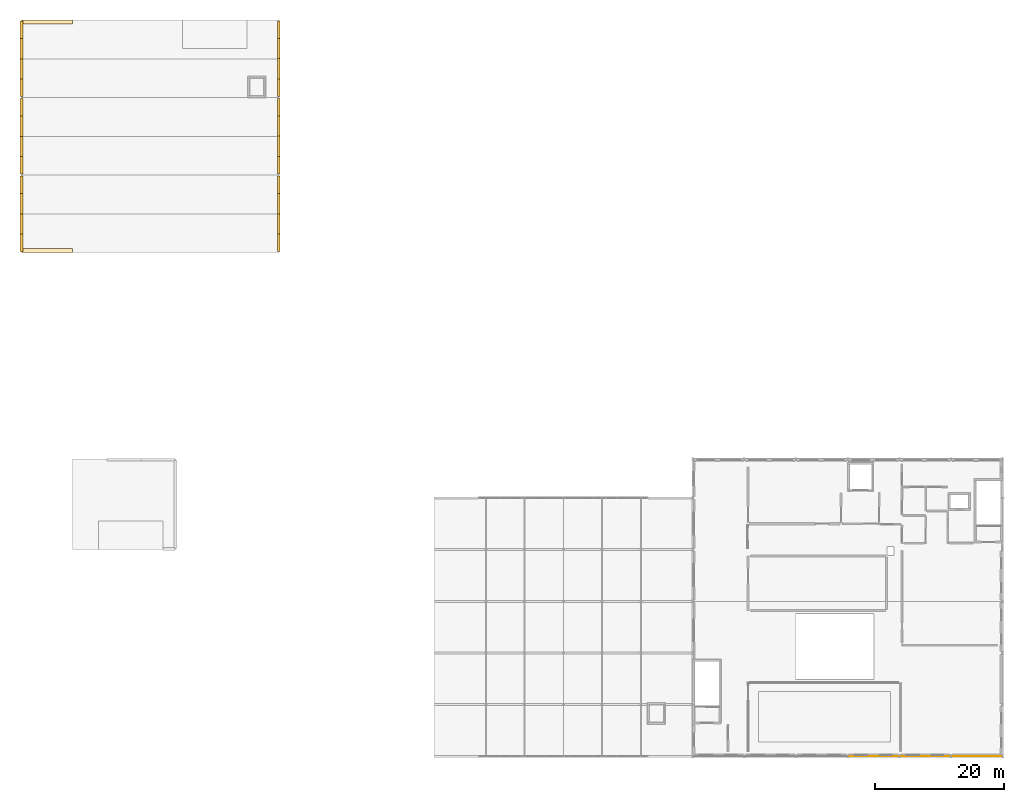
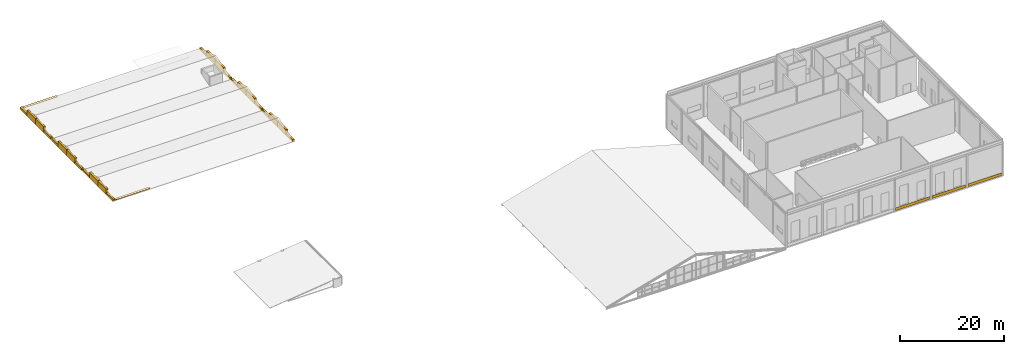
# One storey, part 48 of 49: 29 coverings.
"""IFC4 building model written with IfcOpenShell, lengths in metres."""

from ifc_helpers import new_model, si_unit, direction, frame, origin, origin_2d, place, context, subcontext, project, spatial, polyline, rectangle, outline, extrude, material, layer, layer_set, type_object, element, save


model = new_model("IFC4")

# Units and contexts
model_context = context("Model", 3, precision=1e-05, world=origin(), true_north=direction((0.0, 1.0)))
body_context = subcontext(model_context, "Body", "Model", "MODEL_VIEW")
ifc_project = project(units=[si_unit("LENGTHUNIT", "METRE"), si_unit("AREAUNIT", "SQUARE_METRE"), si_unit("VOLUMEUNIT", "CUBIC_METRE"), si_unit("PLANEANGLEUNIT", "RADIAN"), si_unit("MASSUNIT", "GRAM", prefix="KILO")], contexts=[model_context])

# Site, building, storey
site_placement = place(None, origin())
site = spatial("IfcSite", under=ifc_project, at=site_placement, CompositionType="ELEMENT")
building_placement = place(site_placement, origin())
building = spatial("IfcBuilding", under=site, at=building_placement, Name="Sundkrona Museum", CompositionType="ELEMENT")
storey_placement = place(building_placement, frame((0.0, 0.0, 26.0)))
storey = spatial("IfcBuildingStorey", under=building, at=storey_placement, Name="L05", CompositionType="ELEMENT", Elevation=26.0)

# Coverings
ifc_material_1 = material(Name="Frost-Resistant Vitrified Stoneware Mosaic Cladding", Category="masonry")
ifc_layer_1 = layer(ifc_material_1, 0.044921875)
ifc_layer_set_1 = layer_set([ifc_layer_1], Name="Frost-Resistant Vitrified Stoneware Mosaic Cladding")
covering_type_1 = type_object("IfcCoveringType", Name="COV-CLD-MOS", PredefinedType="CLADDING", material=ifc_layer_set_1)
for number, where, z_axis, x_axis, name in (
    (1, (148.0, 0.0, 0.094970703125), (0.0, 0.0, 1.0), (1.0, 0.0, 0.0), "L05 Vitrified Stoneware Mosaic Spandrel 024"),
    (2, (156.0, 0.0, 0.094970703125), (0.0, 0.0, 1.0), (1.0, 0.0, 0.0), "L05 Vitrified Stoneware Mosaic Spandrel 025"),
    (3, (164.0, 0.0, 0.094970703125), (0.0, 0.0, 1.0), (1.0, 0.0, 0.0), "L05 Vitrified Stoneware Mosaic Spandrel 026"),
):
    element("IfcCovering", number, at=place(storey_placement, frame(where, z_axis=z_axis, x_axis=x_axis)), inside=storey, type_object=covering_type_1, Name=name, PredefinedType="CLADDING", context=body_context, shape_type="SweptSolid", body=[
        extrude(rectangle(XDim=7.49609375, YDim=0.044921875, at=origin_2d()), origin(), (0.0, 0.0, 1.0), 0.64990234375),
    ])
ifc_material_2 = material(Name="Standing-Seam Patinated Copper Roofing", Category="other")
ifc_layer_2 = layer(ifc_material_2, 0.044921875)
ifc_layer_set_2 = layer_set([ifc_layer_2], Name="Standing-Seam Patinated Copper Roofing")
covering_type_2 = type_object("IfcCoveringType", Name="COV-RF-COP", PredefinedType="ROOFING", material=ifc_layer_set_2)
covering_1_placement = place(storey_placement, frame((16.080078125, 79.5, -0.27001953125), z_axis=(0.0, 0.0, 1.0), x_axis=(0.0, 1.0, 0.0)))
element("IfcCovering", 4, at=covering_1_placement, inside=storey, type_object=covering_type_2, Name="Volume 3 Catalan Vault 1 W Tympanum 1", PredefinedType="ROOFING", context=body_context, shape_type="SweptSolid", body=[
    extrude(rectangle(XDim=2.679931640625, YDim=0.43994140625, at=origin_2d()), origin(), (0.0, 0.0, 1.0), 0.5439453125),
])
for number, where, z_axis, x_axis, name in (
    (5, (16.080078125, 82.39990234375, -0.27001953125), (0.0, 0.0, 1.0), (0.0, 1.0, 0.0), "Volume 3 Catalan Vault 1 W Tympanum 2"),
    (6, (16.080078125, 85.60009765625, -0.27001953125), (0.0, 0.0, 1.0), (0.0, 1.0, 0.0), "Volume 3 Catalan Vault 1 W Tympanum 3"),
):
    element("IfcCovering", number, at=place(storey_placement, frame(where, z_axis=z_axis, x_axis=x_axis)), inside=storey, type_object=covering_type_2, Name=name, PredefinedType="ROOFING", context=body_context, shape_type="SweptSolid", body=[
        extrude(rectangle(XDim=3.280029296875, YDim=0.43994140625, at=origin_2d()), origin(), (0.0, 0.0, 1.0), 1.3759765625),
    ])
for number, where, z_axis, x_axis, name in (
    (7, (16.080078125, 88.5, -0.27001953125), (0.0, 0.0, 1.0), (0.0, 1.0, 0.0), "Volume 3 Catalan Vault 1 W Tympanum 4"),
    (8, (16.080078125, 91.5, -0.27001953125), (0.0, 0.0, 1.0), (0.0, 1.0, 0.0), "Volume 3 Catalan Vault 2 W Tympanum 1"),
):
    element("IfcCovering", number, at=place(storey_placement, frame(where, z_axis=z_axis, x_axis=x_axis)), inside=storey, type_object=covering_type_2, Name=name, PredefinedType="ROOFING", context=body_context, shape_type="SweptSolid", body=[
        extrude(rectangle(XDim=2.679931640625, YDim=0.43994140625, at=origin_2d()), origin(), (0.0, 0.0, 1.0), 0.5439453125),
    ])
for number, where, z_axis, x_axis, name in (
    (9, (16.080078125, 94.39990234375, -0.27001953125), (0.0, 0.0, 1.0), (0.0, 1.0, 0.0), "Volume 3 Catalan Vault 2 W Tympanum 2"),
    (10, (16.080078125, 97.60009765625, -0.27001953125), (0.0, 0.0, 1.0), (0.0, 1.0, 0.0), "Volume 3 Catalan Vault 2 W Tympanum 3"),
):
    element("IfcCovering", number, at=place(storey_placement, frame(where, z_axis=z_axis, x_axis=x_axis)), inside=storey, type_object=covering_type_2, Name=name, PredefinedType="ROOFING", context=body_context, shape_type="SweptSolid", body=[
        extrude(rectangle(XDim=3.280029296875, YDim=0.43994140625, at=origin_2d()), origin(), (0.0, 0.0, 1.0), 1.3759765625),
    ])
for number, where, z_axis, x_axis, name in (
    (11, (16.080078125, 100.5, -0.27001953125), (0.0, 0.0, 1.0), (0.0, 1.0, 0.0), "Volume 3 Catalan Vault 2 W Tympanum 4"),
    (12, (16.080078125, 103.5, -0.27001953125), (0.0, 0.0, 1.0), (0.0, 1.0, 0.0), "Volume 3 Catalan Vault 3 W Tympanum 1"),
):
    element("IfcCovering", number, at=place(storey_placement, frame(where, z_axis=z_axis, x_axis=x_axis)), inside=storey, type_object=covering_type_2, Name=name, PredefinedType="ROOFING", context=body_context, shape_type="SweptSolid", body=[
        extrude(rectangle(XDim=2.679931640625, YDim=0.43994140625, at=origin_2d()), origin(), (0.0, 0.0, 1.0), 0.5439453125),
    ])
for number, where, z_axis, x_axis, name in (
    (13, (16.080078125, 106.39990234375, -0.27001953125), (0.0, 0.0, 1.0), (0.0, 1.0, 0.0), "Volume 3 Catalan Vault 3 W Tympanum 2"),
    (14, (16.080078125, 109.60009765625, -0.27001953125), (0.0, 0.0, 1.0), (0.0, 1.0, 0.0), "Volume 3 Catalan Vault 3 W Tympanum 3"),
):
    element("IfcCovering", number, at=place(storey_placement, frame(where, z_axis=z_axis, x_axis=x_axis)), inside=storey, type_object=covering_type_2, Name=name, PredefinedType="ROOFING", context=body_context, shape_type="SweptSolid", body=[
        extrude(rectangle(XDim=3.280029296875, YDim=0.43994140625, at=origin_2d()), origin(), (0.0, 0.0, 1.0), 1.3759765625),
    ])
for number, where, z_axis, x_axis, name in (
    (15, (16.080078125, 112.5, -0.27001953125), (0.0, 0.0, 1.0), (0.0, 1.0, 0.0), "Volume 3 Catalan Vault 3 W Tympanum 4"),
    (16, (55.919921875, 79.5, -0.27001953125), (0.0, 0.0, 1.0), (0.0, 1.0, 0.0), "Volume 3 Catalan Vault 1 E Tympanum 1"),
):
    element("IfcCovering", number, at=place(storey_placement, frame(where, z_axis=z_axis, x_axis=x_axis)), inside=storey, type_object=covering_type_2, Name=name, PredefinedType="ROOFING", context=body_context, shape_type="SweptSolid", body=[
        extrude(rectangle(XDim=2.679931640625, YDim=0.43994140625, at=origin_2d()), origin(), (0.0, 0.0, 1.0), 0.5439453125),
    ])
for number, where, z_axis, x_axis, name in (
    (17, (55.919921875, 82.39990234375, -0.27001953125), (0.0, 0.0, 1.0), (0.0, 1.0, 0.0), "Volume 3 Catalan Vault 1 E Tympanum 2"),
    (18, (55.919921875, 85.60009765625, -0.27001953125), (0.0, 0.0, 1.0), (0.0, 1.0, 0.0), "Volume 3 Catalan Vault 1 E Tympanum 3"),
):
    element("IfcCovering", number, at=place(storey_placement, frame(where, z_axis=z_axis, x_axis=x_axis)), inside=storey, type_object=covering_type_2, Name=name, PredefinedType="ROOFING", context=body_context, shape_type="SweptSolid", body=[
        extrude(rectangle(XDim=3.280029296875, YDim=0.43994140625, at=origin_2d()), origin(), (0.0, 0.0, 1.0), 1.3759765625),
    ])
for number, where, z_axis, x_axis, name in (
    (19, (55.919921875, 88.5, -0.27001953125), (0.0, 0.0, 1.0), (0.0, 1.0, 0.0), "Volume 3 Catalan Vault 1 E Tympanum 4"),
    (20, (55.919921875, 91.5, -0.27001953125), (0.0, 0.0, 1.0), (0.0, 1.0, 0.0), "Volume 3 Catalan Vault 2 E Tympanum 1"),
):
    element("IfcCovering", number, at=place(storey_placement, frame(where, z_axis=z_axis, x_axis=x_axis)), inside=storey, type_object=covering_type_2, Name=name, PredefinedType="ROOFING", context=body_context, shape_type="SweptSolid", body=[
        extrude(rectangle(XDim=2.679931640625, YDim=0.43994140625, at=origin_2d()), origin(), (0.0, 0.0, 1.0), 0.5439453125),
    ])
for number, where, z_axis, x_axis, name in (
    (21, (55.919921875, 94.39990234375, -0.27001953125), (0.0, 0.0, 1.0), (0.0, 1.0, 0.0), "Volume 3 Catalan Vault 2 E Tympanum 2"),
    (22, (55.919921875, 97.60009765625, -0.27001953125), (0.0, 0.0, 1.0), (0.0, 1.0, 0.0), "Volume 3 Catalan Vault 2 E Tympanum 3"),
):
    element("IfcCovering", number, at=place(storey_placement, frame(where, z_axis=z_axis, x_axis=x_axis)), inside=storey, type_object=covering_type_2, Name=name, PredefinedType="ROOFING", context=body_context, shape_type="SweptSolid", body=[
        extrude(rectangle(XDim=3.280029296875, YDim=0.43994140625, at=origin_2d()), origin(), (0.0, 0.0, 1.0), 1.3759765625),
    ])
for number, where, z_axis, x_axis, name in (
    (23, (55.919921875, 100.5, -0.27001953125), (0.0, 0.0, 1.0), (0.0, 1.0, 0.0), "Volume 3 Catalan Vault 2 E Tympanum 4"),
    (24, (55.919921875, 103.5, -0.27001953125), (0.0, 0.0, 1.0), (0.0, 1.0, 0.0), "Volume 3 Catalan Vault 3 E Tympanum 1"),
):
    element("IfcCovering", number, at=place(storey_placement, frame(where, z_axis=z_axis, x_axis=x_axis)), inside=storey, type_object=covering_type_2, Name=name, PredefinedType="ROOFING", context=body_context, shape_type="SweptSolid", body=[
        extrude(rectangle(XDim=2.679931640625, YDim=0.43994140625, at=origin_2d()), origin(), (0.0, 0.0, 1.0), 0.5439453125),
    ])
for number, where, z_axis, x_axis, name in (
    (25, (55.919921875, 106.39990234375, -0.27001953125), (0.0, 0.0, 1.0), (0.0, 1.0, 0.0), "Volume 3 Catalan Vault 3 E Tympanum 2"),
    (26, (55.919921875, 109.60009765625, -0.27001953125), (0.0, 0.0, 1.0), (0.0, 1.0, 0.0), "Volume 3 Catalan Vault 3 E Tympanum 3"),
):
    element("IfcCovering", number, at=place(storey_placement, frame(where, z_axis=z_axis, x_axis=x_axis)), inside=storey, type_object=covering_type_2, Name=name, PredefinedType="ROOFING", context=body_context, shape_type="SweptSolid", body=[
        extrude(rectangle(XDim=3.280029296875, YDim=0.43994140625, at=origin_2d()), origin(), (0.0, 0.0, 1.0), 1.3759765625),
    ])
covering_2_placement = place(storey_placement, frame((55.919921875, 112.5, -0.27001953125), z_axis=(0.0, 0.0, 1.0), x_axis=(0.0, 1.0, 0.0)))
element("IfcCovering", 27, at=covering_2_placement, inside=storey, type_object=covering_type_2, Name="Volume 3 Catalan Vault 3 E Tympanum 4", PredefinedType="ROOFING", context=body_context, shape_type="SweptSolid", body=[
    extrude(rectangle(XDim=2.679931640625, YDim=0.43994140625, at=origin_2d()), origin(), (0.0, 0.0, 1.0), 0.5439453125),
])
covering_3_placement = place(storey_placement, frame((0.0, 0.0, 0.02001953125)))
element("IfcCovering", 28, at=covering_3_placement, inside=storey, type_object=covering_type_2, Name="L05 Patinated Copper Eave Gutter Flashing (COV-COP-L05-01)", PredefinedType="ROOFING", context=body_context, shape_type="SweptSolid", body=[
    extrude(outline(polyline([(16.199951171875, 78.0), (24.0, 78.0), (24.0, 78.60009765625), (16.199951171875, 78.60009765625), (16.199951171875, 78.0)])), origin(), (0.0, 0.0, 1.0), 0.044921875),
])
covering_4_placement = place(storey_placement, frame((0.0, 0.0, 0.02001953125)))
element("IfcCovering", 29, at=covering_4_placement, inside=storey, type_object=covering_type_2, Name="L05 Patinated Copper Eave Gutter Flashing (COV-COP-L05-02)", PredefinedType="ROOFING", context=body_context, shape_type="SweptSolid", body=[
    extrude(outline(polyline([(16.199951171875, 113.39990234375), (24.0, 113.39990234375), (24.0, 114.0), (16.199951171875, 114.0), (16.199951171875, 113.39990234375)])), origin(), (0.0, 0.0, 1.0), 0.044921875),
])

save(model, "model.ifc")
